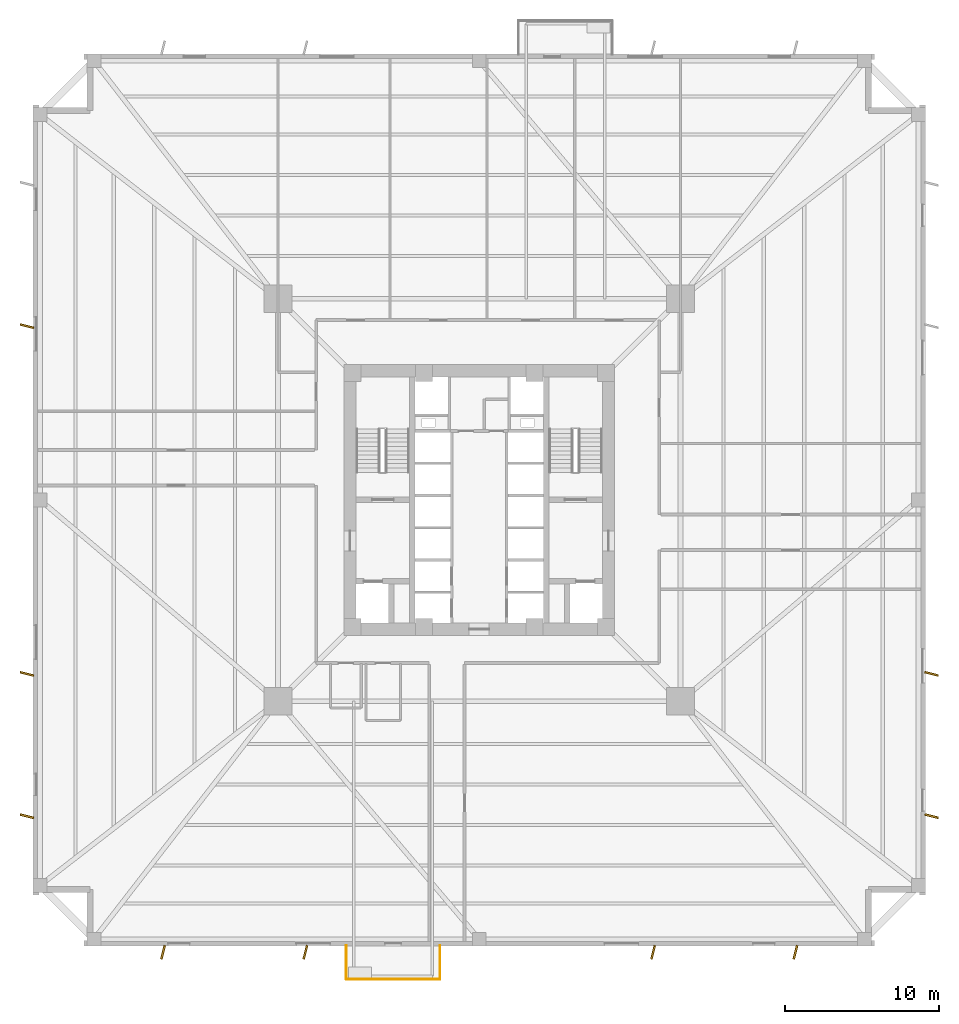
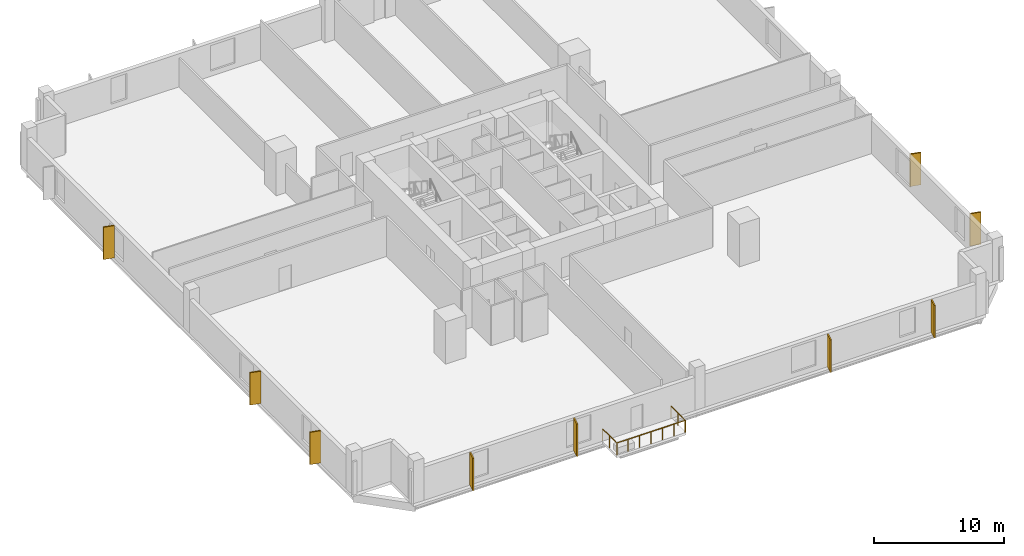
# One storey, part 6 of 8: 9 coverings, 3 railings.
"""IFC4 building model written with IfcOpenShell, lengths in metres."""

from ifc_helpers import new_model, si_unit, direction, frame, origin, origin_2d, place, context, subcontext, project, spatial, rectangle, circle, extrude, source, transform, mapped, material, layer, layer_set, type_object, element, save


model = new_model("IFC4")

# Units and contexts
model_context = context("Model", 3, precision=1e-05, world=origin(), true_north=direction((0.0, 1.0)))
body_context = subcontext(model_context, "Body", "Model", "MODEL_VIEW")
ifc_project = project(units=[si_unit("LENGTHUNIT", "METRE"), si_unit("AREAUNIT", "SQUARE_METRE"), si_unit("VOLUMEUNIT", "CUBIC_METRE"), si_unit("PLANEANGLEUNIT", "RADIAN"), si_unit("MASSUNIT", "GRAM", prefix="KILO"), si_unit("THERMODYNAMICTEMPERATUREUNIT", "KELVIN")], contexts=[model_context])

# Site, building, storey
site_placement = place(None, origin())
site = spatial("IfcSite", under=ifc_project, at=site_placement, CompositionType="ELEMENT")
building_placement = place(site_placement, origin())
building = spatial("IfcBuilding", under=site, at=building_placement, Name="Kosmvard Interchange Tower", CompositionType="ELEMENT")
storey_placement = place(building_placement, frame((0.0, 0.0, 42.0)))
storey = spatial("IfcBuildingStorey", under=building, at=storey_placement, Name="L09", CompositionType="ELEMENT", Elevation=42.0)

# Railings
ifc_material_1 = material(Name="Steel S355", Category="steel")
railing_type = type_object("IfcRailingType", Name="Observation & Balcony Glass-Infill Balustrade 1150", PredefinedType="BALUSTRADE", material=ifc_material_1)
shared_shape_1 = source(origin(), body_context, "Body", "SweptSolid", [
    extrude(circle(Radius=0.02392578125, at=origin_2d()), frame((0.0, 0.0, 1.1259765625), z_axis=(0.0, -1.0, 0.0), x_axis=(1.0, 0.0, 0.0)), (0.0, 0.0, 1.0), 2.199951171875),
    extrude(circle(Radius=0.02099609375, at=origin_2d()), origin(), (0.0, 0.0, 1.0), 1.101806640625),
    extrude(circle(Radius=0.02099609375, at=origin_2d()), frame((0.0, -1.10009765625, 0.0)), (0.0, 0.0, 1.0), 1.101806640625),
    extrude(circle(Radius=0.02099609375, at=origin_2d()), frame((0.0, -2.199951171875, 0.0)), (0.0, 0.0, 1.0), 1.101806640625),
])
railing_1_placement = place(storey_placement, frame((-8.64990234375, -28.949951171875, 0.0)))
element("IfcRailing", 1, at=railing_1_placement, inside=storey, type_object=railing_type, Name="L09 Outdoor Terrace Guard BAL-L09-S-A", PredefinedType="BALUSTRADE", context=body_context, shape_type="MappedRepresentation", body=[
    mapped(shared_shape_1, transform((0.0, 0.0, 0.0), scale=1.0)),
])
shared_shape_2 = source(origin(), body_context, "Body", "SweptSolid", [
    extrude(circle(Radius=0.02392578125, at=origin_2d()), frame((0.0, 0.0, 1.1259765625), z_axis=(1.0, 0.0, 0.0), x_axis=(0.0, 1.0, 0.0)), (0.0, 0.0, 1.0), 6.099853515625),
    extrude(circle(Radius=0.02099609375, at=origin_2d()), origin(), (0.0, 0.0, 1.0), 1.101806640625),
    extrude(circle(Radius=0.02099609375, at=origin_2d()), frame((1.0166015625, 0.0, 0.0)), (0.0, 0.0, 1.0), 1.101806640625),
    extrude(circle(Radius=0.02099609375, at=origin_2d()), frame((2.033203125, 0.0, 0.0)), (0.0, 0.0, 1.0), 1.101806640625),
    extrude(circle(Radius=0.02099609375, at=origin_2d()), frame((3.0498046875, 0.0, 0.0)), (0.0, 0.0, 1.0), 1.101806640625),
    extrude(circle(Radius=0.02099609375, at=origin_2d()), frame((4.066650390625, 0.0, 0.0)), (0.0, 0.0, 1.0), 1.101806640625),
    extrude(circle(Radius=0.02099609375, at=origin_2d()), frame((5.083251953125, 0.0, 0.0)), (0.0, 0.0, 1.0), 1.101806640625),
    extrude(circle(Radius=0.02099609375, at=origin_2d()), frame((6.099853515625, 0.0, 0.0)), (0.0, 0.0, 1.0), 1.101806640625),
])
railing_2_placement = place(storey_placement, frame((-8.64990234375, -31.14990234375, 0.0)))
element("IfcRailing", 2, at=railing_2_placement, inside=storey, type_object=railing_type, Name="L09 Outdoor Terrace Guard BAL-L09-S-B", PredefinedType="BALUSTRADE", context=body_context, shape_type="MappedRepresentation", body=[
    mapped(shared_shape_2, transform((0.0, 0.0, 0.0), scale=1.0)),
])
shared_shape_3 = source(origin(), body_context, "Body", "SweptSolid", [
    extrude(circle(Radius=0.02392578125, at=origin_2d()), frame((0.0, 0.0, 1.1259765625), z_axis=(0.0, 1.0, 0.0), x_axis=(-1.0, 0.0, 0.0)), (0.0, 0.0, 1.0), 2.199951171875),
    extrude(circle(Radius=0.02099609375, at=origin_2d()), origin(), (0.0, 0.0, 1.0), 1.101806640625),
    extrude(circle(Radius=0.02099609375, at=origin_2d()), frame((0.0, 1.10009765625, 0.0)), (0.0, 0.0, 1.0), 1.101806640625),
    extrude(circle(Radius=0.02099609375, at=origin_2d()), frame((0.0, 2.199951171875, 0.0)), (0.0, 0.0, 1.0), 1.101806640625),
])
railing_3_placement = place(storey_placement, frame((-2.550048828125, -31.14990234375, 0.0)))
element("IfcRailing", 3, at=railing_3_placement, inside=storey, type_object=railing_type, Name="L09 Outdoor Terrace Guard BAL-L09-S-C", PredefinedType="BALUSTRADE", context=body_context, shape_type="MappedRepresentation", body=[
    mapped(shared_shape_3, transform((0.0, 0.0, 0.0), scale=1.0)),
])

# Coverings
ifc_material_2 = material(Name="Architectural anodised aluminium", Category="aluminium")
ifc_layer = layer(ifc_material_2, 0.1201171875, Name="Architectural anodised aluminium")
ifc_layer_set = layer_set([ifc_layer], Name="Architectural anodised aluminium")
covering_type = type_object("IfcCoveringType", Name="Rotating Vertical Sun-Breaker Fin 900x120 Aluminium", PredefinedType="CLADDING", material=ifc_layer_set)
shared_shape_4 = source(origin(), body_context, "Body", "SweptSolid", [
    extrude(rectangle(XDim=0.89990234375, YDim=0.1201171875, at=origin_2d()), origin(), (0.0, 0.0, 1.0), 3.0400390625),
])
for number, where, z_axis, x_axis, name in (
    (4, (-20.552001953125, -29.39990234375, 0.0400390625), (0.0, 0.0, 1.0), (-0.245307385879, -0.969445349895, 0.0), "L09 Rotating Vertical Sun-Breaker Fin 01"),
    (5, (-11.3037109375, -29.39990234375, 0.0400390625), (0.0, 0.0, 1.0), (-0.245307385879, -0.969445349895, 0.0), "L09 Rotating Vertical Sun-Breaker Fin 02"),
    (6, (11.3037109375, -29.39990234375, 0.0400390625), (0.0, 0.0, 1.0), (-0.245307385879, -0.969445349895, 0.0), "L09 Rotating Vertical Sun-Breaker Fin 03"),
    (7, (20.552001953125, -29.39990234375, 0.0400390625), (0.0, 0.0, 1.0), (-0.245307385879, -0.969445349895, 0.0), "L09 Rotating Vertical Sun-Breaker Fin 04"),
    (8, (29.39990234375, -20.552001953125, 0.0400390625), (0.0, 0.0, 1.0), (0.969445349895, -0.245307385879, 0.0), "L09 Rotating Vertical Sun-Breaker Fin 05"),
    (9, (29.39990234375, -11.3037109375, 0.0400390625), (0.0, 0.0, 1.0), (0.969445349895, -0.245307385879, 0.0), "L09 Rotating Vertical Sun-Breaker Fin 06"),
    (10, (-29.39990234375, 11.3037109375, 0.0400390625), (0.0, 0.0, 1.0), (-0.969445349895, 0.245307385879, 0.0), "L09 Rotating Vertical Sun-Breaker Fin 14"),
    (11, (-29.39990234375, -11.3037109375, 0.0400390625), (0.0, 0.0, 1.0), (-0.969445349895, 0.245307385879, 0.0), "L09 Rotating Vertical Sun-Breaker Fin 15"),
    (12, (-29.39990234375, -20.552001953125, 0.0400390625), (0.0, 0.0, 1.0), (-0.969445349895, 0.245307385879, 0.0), "L09 Rotating Vertical Sun-Breaker Fin 16"),
):
    element("IfcCovering", number, at=place(storey_placement, frame(where, z_axis=z_axis, x_axis=x_axis)), inside=storey, type_object=covering_type, Name=name, PredefinedType="CLADDING", context=body_context, shape_type="MappedRepresentation", body=[
        mapped(shared_shape_4, transform((0.0, 0.0, 0.0), scale=1.0)),
    ])

save(model, "model.ifc")
